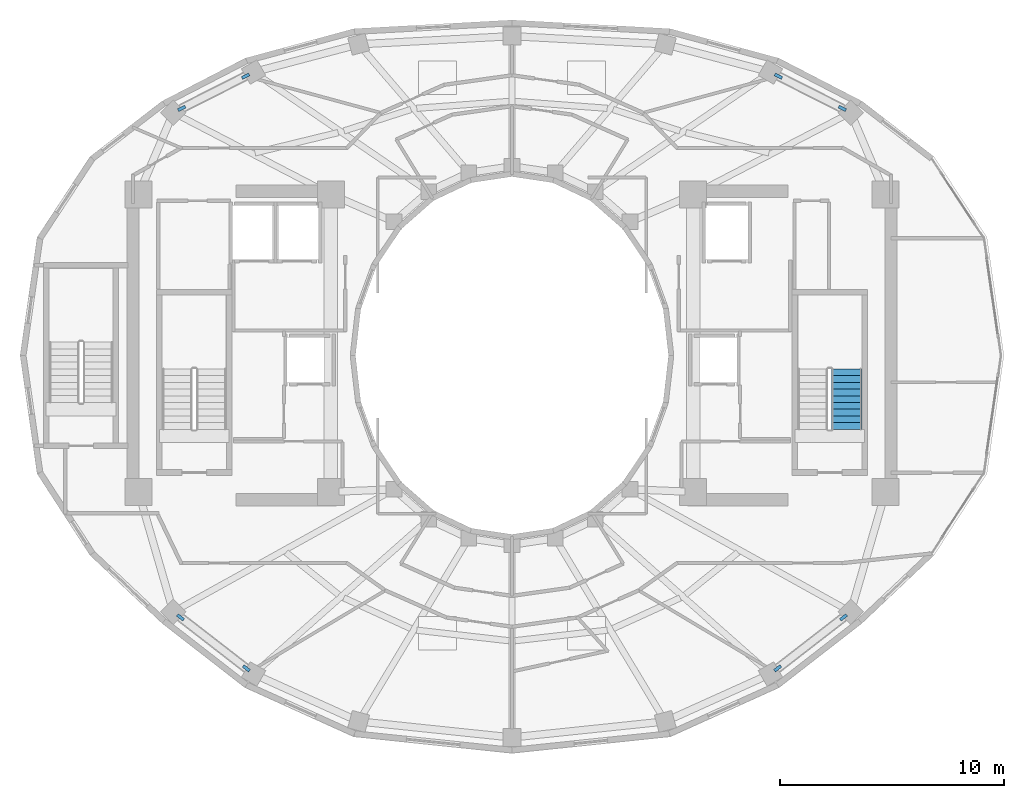
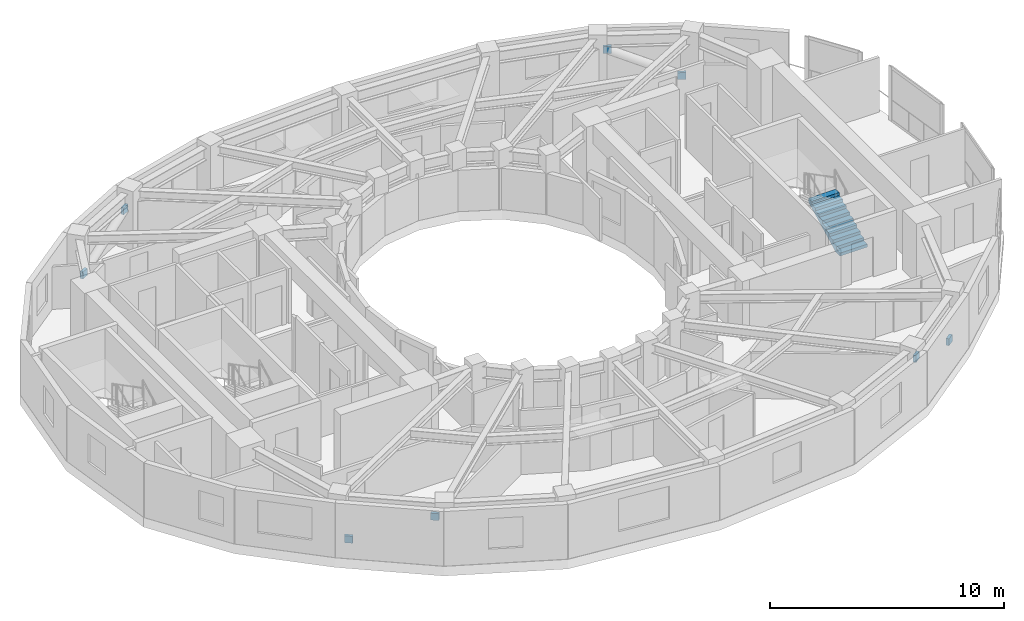
# One storey, part 10 of 12: 8 discrete accessories, 1 stair flight, 1 element without a shape of its own.
"""IFC4 building model written with IfcOpenShell, lengths in metres."""

from ifc_helpers import new_model, si_unit, direction, frame, origin, origin_2d, place, context, subcontext, project, spatial, polyline, rectangle, outline, extrude, material, layer, layer_set, type_object, element, aggregate, save


model = new_model("IFC4")

# Units and contexts
model_context = context("Model", 3, precision=1e-05, world=origin(), true_north=direction((0.0, 1.0)))
body_context = subcontext(model_context, "Body", "Model", "MODEL_VIEW")
ifc_project = project(units=[si_unit("LENGTHUNIT", "METRE"), si_unit("AREAUNIT", "SQUARE_METRE"), si_unit("VOLUMEUNIT", "CUBIC_METRE"), si_unit("PLANEANGLEUNIT", "RADIAN"), si_unit("MASSUNIT", "GRAM", prefix="KILO")], contexts=[model_context])

# Site, building, storey
site_placement = place(None, origin())
site = spatial("IfcSite", under=ifc_project, at=site_placement, CompositionType="ELEMENT")
building_placement = place(site_placement, origin())
building = spatial("IfcBuilding", under=site, at=building_placement, Name="Solvane Sanctuary Tower", CompositionType="ELEMENT")
storey_placement = place(building_placement, frame((0.0, 0.0, 210.89990234375)))
storey = spatial("IfcBuildingStorey", under=building, at=storey_placement, Name="L64", CompositionType="ELEMENT", Elevation=210.89990234375)

# Stair, stair flight
ifc_material_1 = material(Name="Concrete C45/55", Category="concrete")
stair_type = type_object("IfcStairType", Name="Stair ST-TOW", PredefinedType="HALF_TURN_STAIR", material=ifc_material_1)
stair_placement = place(storey_placement, origin())
stair = element("IfcStair", 1, at=stair_placement, inside=storey, type_object=stair_type, Name="L64 Exit Stair ST-2 East Core", PredefinedType="HALF_TURN_STAIR")
stair_flight_type = type_object("IfcStairFlightType", Name="StairFlight SF-TOW", PredefinedType="STRAIGHT", material=ifc_material_1)
stair_flight_placement = place(storey_placement, frame((46.965087890625, 19.699951171875, 0.0), z_axis=(0.0, 0.0, 1.0), x_axis=(0.0, 1.0, 0.0)))
stair_flight = element("IfcStairFlight", 2, at=stair_flight_placement, type_object=stair_flight_type, Name="ST-2 flight 1", NumberOfRisers=10, NumberOfTreads=9, PredefinedType="STRAIGHT", RiserHeight=0.155, TreadLength=0.3, context=body_context, shape_type="SweptSolid", body=[
    extrude(outline(polyline([(0.0, 0.0), (0.0, 0.155029296875), (0.300048828125, 0.155029296875), (0.300048828125, 0.31005859375), (0.60009765625, 0.31005859375), (0.60009765625, 0.465087890625), (0.89990234375, 0.465087890625), (0.89990234375, 0.6201171875), (1.199951171875, 0.6201171875), (1.199951171875, 0.77490234375), (1.5, 0.77490234375), (1.5, 0.929931640625), (1.800048828125, 0.929931640625), (1.800048828125, 1.0849609375), (2.10009765625, 1.0849609375), (2.10009765625, 1.239990234375), (2.39990234375, 1.239990234375), (2.39990234375, 1.39501953125), (2.699951171875, 1.39501953125), (2.699951171875, 1.550048828125), (2.699951171875, 1.1923828125), (0.39208984375, 0.0), (0.0, 0.0)])), frame((0.0, 0.675048828125, 0.0), z_axis=(0.0, -1.0, 0.0), x_axis=(1.0, 0.0, 0.0)), (0.0, 0.0, 1.0), 1.35009765625),
])
aggregate(stair, [stair_flight])

# Discrete accessories
ifc_material_2 = material(Name="Steel ASTM A572 Grade 50", Category="steel")
ifc_layer = layer(ifc_material_2, 0.360107421875, Name="Steel ASTM A572 Grade 50")
ifc_layer_set = layer_set([ifc_layer], Name="Steel ASTM A572 Grade 50")
discrete_accessory_type = type_object("IfcDiscreteAccessoryType", Name="Accessory ACC-GUSSET-BRK", PredefinedType="BRACKET", material=ifc_layer_set)
for number, where, z_axis, x_axis, name in (
    (3, (46.76513671875, 34.049072265625, 0.39794921875), (0.0, 0.0, 1.0), (-0.892349617181, 0.451344835704, 0.0), "L64 Perimeter Braced-Tube Diagonal NE End Gusset Bracket A"),
    (4, (43.916748046875, 35.48974609375, 1.8818359375), (0.0, 0.0, 1.0), (-0.892349617181, 0.451344835704, 0.0), "L64 Perimeter Braced-Tube Diagonal NE End Gusset Bracket B"),
    (5, (17.23486328125, 34.049072265625, 0.39794921875), (0.0, 0.0, 1.0), (0.892349617181, 0.451344835704, 0.0), "L64 Perimeter Braced-Tube Diagonal NW End Gusset Bracket A"),
    (6, (20.083251953125, 35.48974609375, 1.8818359375), (0.0, 0.0, 1.0), (0.892349617181, 0.451344835704, 0.0), "L64 Perimeter Braced-Tube Diagonal NW End Gusset Bracket B"),
    (7, (17.177490234375, 11.28857421875, 0.3681640625), (0.0, 0.0, 1.0), (0.790689573744, -0.612217280034, 0.0), "L64 Perimeter Braced-Tube Diagonal SW End Gusset Bracket A"),
    (8, (20.1220703125, 9.008544921875, 1.90185546875), (0.0, 0.0, 1.0), (0.790689573744, -0.612217280034, 0.0), "L64 Perimeter Braced-Tube Diagonal SW End Gusset Bracket B"),
    (9, (46.822509765625, 11.28857421875, 0.3681640625), (0.0, 0.0, 1.0), (-0.790689573744, -0.612217280034, 0.0), "L64 Perimeter Braced-Tube Diagonal SE End Gusset Bracket A"),
    (10, (43.8779296875, 9.008544921875, 1.90185546875), (0.0, 0.0, 1.0), (-0.790689573744, -0.612217280034, 0.0), "L64 Perimeter Braced-Tube Diagonal SE End Gusset Bracket B"),
):
    element("IfcDiscreteAccessory", number, at=place(storey_placement, frame(where, z_axis=z_axis, x_axis=x_axis)), inside=storey, type_object=discrete_accessory_type, Name=name, PredefinedType="BRACKET", context=body_context, shape_type="SweptSolid", body=[
        extrude(rectangle(XDim=0.360107421875, YDim=0.139892578125, at=origin_2d()), origin(), (0.0, 0.0, 1.0), 0.360107421875),
    ])

save(model, "model.ifc")
